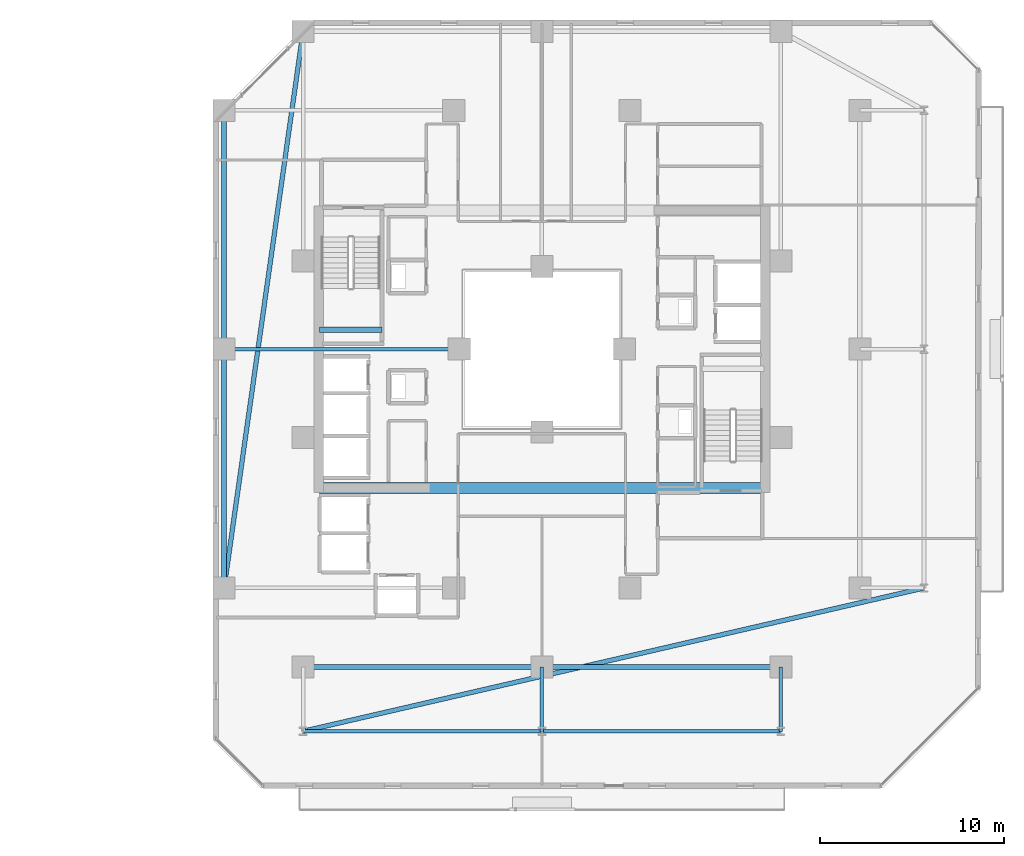
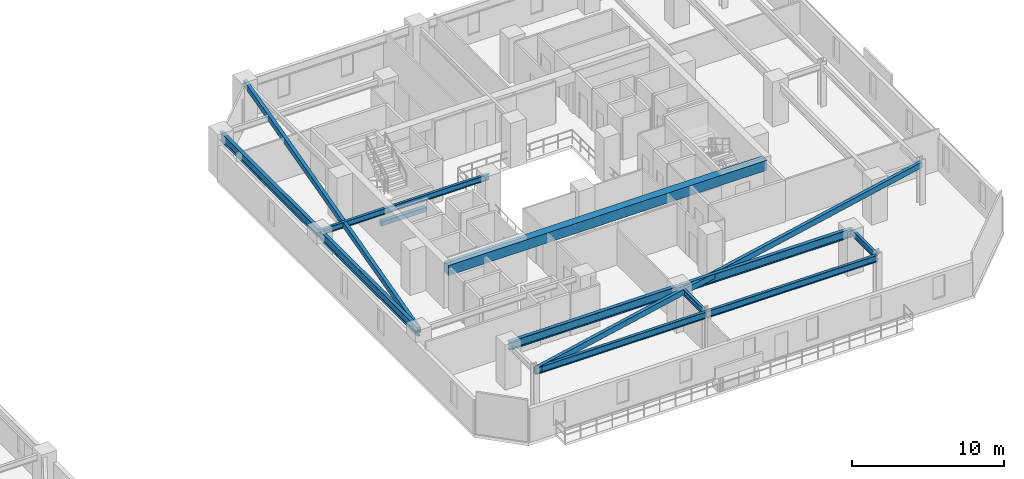
# One storey, part 11 of 33: 13 beams.
"""IFC4 building model written with IfcOpenShell, lengths in metres."""

import ifcopenshell
import ifcopenshell.guid

model = None  # the IFC model being written
_history = None  # IfcOwnerHistory: only IFC2X3 demands one
_inside = {}  # id of a spatial element -> (the spatial element, [elements in it])
_under = {}  # id of a project, library or spatial element -> (it, [spatial elements below it])
_declared = {}  # id of a project -> (the project, [libraries it declares])
_typed = {}  # id of a type object -> (the type object, [elements of that type])
_made_of = {}  # id of a material, layer set ... -> (it, [elements and type objects made of it])


def new_model(schema):
    """Start an empty IFC model of exactly this schema.

    Asked for "IFC4X3", IfcOpenShell would pick the latest addendum, in which some entities
    have other attributes; the version numbers below select the first issue.
    IFC2X3 requires an IfcOwnerHistory on every rooted entity: one is made here for all.
    """
    global model, _history
    if schema == "IFC4X3":
        model = ifcopenshell.file(schema_version=(4, 3, 0, 0))
    else:
        model = ifcopenshell.file(schema=schema)
    _inside.clear()
    _under.clear()
    _declared.clear()
    _typed.clear()
    _made_of.clear()
    _history = None
    if model.schema == "IFC2X3":
        org = make("IfcOrganization", Name="unknown")
        user = make(
            "IfcPersonAndOrganization",
            ThePerson=make("IfcPerson", FamilyName="unknown"),
            TheOrganization=org,
        )
        app = make(
            "IfcApplication",
            ApplicationDeveloper=org,
            Version="unknown",
            ApplicationFullName="unknown",
            ApplicationIdentifier="unknown",
        )
        _history = make(
            "IfcOwnerHistory",
            OwningUser=user,
            OwningApplication=app,
            ChangeAction="ADDED",
            CreationDate=0,
        )
    return model


def make(cls, **values):
    """One entity of the class cls with the attributes given. An attribute that is None is left unset."""
    return model.create_entity(
        cls, **{name: value for name, value in values.items() if value is not None}
    )


def rooted(cls, **values):
    """An entity with a GlobalId (a new one), such as an element, a storey or a relation."""
    return make(cls, GlobalId=ifcopenshell.guid.new(), OwnerHistory=_history, **values)


def si_unit(unit_type, name, prefix=None):
    """IfcSIUnit, for example si_unit("LENGTHUNIT", "METRE", prefix="MILLI")."""
    return make("IfcSIUnit", UnitType=unit_type, Prefix=prefix, Name=name)


def assignment(units):
    """IfcUnitAssignment: the units of a project."""
    return None if units is None else make("IfcUnitAssignment", Units=units)


def point(xyz):
    """IfcCartesianPoint."""
    return None if xyz is None else make("IfcCartesianPoint", Coordinates=xyz)


def direction(xyz):
    """IfcDirection."""
    return None if xyz is None else make("IfcDirection", DirectionRatios=xyz)


def frame(location, z_axis=None, x_axis=None):
    """IfcAxis2Placement3D, a coordinate frame: its origin and axes. An axis left out is left unset."""
    return make(
        "IfcAxis2Placement3D",
        Location=point(location),
        Axis=direction(z_axis),
        RefDirection=direction(x_axis),
    )


def frame_2d(location, x_axis=None):
    """IfcAxis2Placement2D, a coordinate frame in the plane: its origin and x axis."""
    return make(
        "IfcAxis2Placement2D", Location=point(location), RefDirection=direction(x_axis)
    )


def origin():
    """The frame at (0, 0, 0) with its axes left unset."""
    return frame((0.0, 0.0, 0.0))


def origin_2d():
    """The frame at (0, 0) in the plane with its x axis left unset."""
    return frame_2d((0.0, 0.0))


def place(relative_to, where):
    """IfcLocalPlacement: puts the frame where relative to a parent placement (None: the world)."""
    return make(
        "IfcLocalPlacement", PlacementRelTo=relative_to, RelativePlacement=where
    )


def context(
    kind, dimensions, precision=None, world=None, true_north=None, identifier=None
):
    """IfcGeometricRepresentationContext, for example the 3D "Model" context."""
    return make(
        "IfcGeometricRepresentationContext",
        ContextIdentifier=identifier,
        ContextType=kind,
        CoordinateSpaceDimension=dimensions,
        Precision=precision,
        WorldCoordinateSystem=world,
        TrueNorth=true_north,
    )


def subcontext(parent, identifier, kind, view, scale=None):
    """IfcGeometricRepresentationSubContext, for example "Body" below "Model"."""
    return make(
        "IfcGeometricRepresentationSubContext",
        ContextIdentifier=identifier,
        ContextType=kind,
        ParentContext=parent,
        TargetScale=scale,
        TargetView=view,
    )


def project(units=None, contexts=None):
    """IfcProject with its units and contexts."""
    return rooted(
        "IfcProject",
        Name="project",
        RepresentationContexts=contexts,
        UnitsInContext=assignment(units),
    )


def spatial(cls, under=None, at=None, **own):
    """A site, building, storey or space (cls), placed at a placement, below another one or the project."""
    s = rooted(cls, ObjectPlacement=at, **own)
    if under is not None:
        _under.setdefault(under.id(), (under, []))[1].append(s)
    return s


def profile(cls, at=None, kind="AREA", **sizes):
    """A parametric profile (cls). Its sizes go by their IFC names, for example OverallWidth=200.0."""
    return make(cls, ProfileType=kind, Position=at, **sizes)


def rectangle(**sizes):
    """IfcRectangleProfileDef."""
    return profile("IfcRectangleProfileDef", **sizes)


def hollow_rectangle(**sizes):
    """IfcRectangleHollowProfileDef."""
    return profile("IfcRectangleHollowProfileDef", **sizes)


def i_section(**sizes):
    """IfcIShapeProfileDef."""
    return profile("IfcIShapeProfileDef", **sizes)


def extrude(swept, where, along, depth):
    """IfcExtrudedAreaSolid: the profile swept, set in the frame where, extruded along a direction by depth."""
    return make(
        "IfcExtrudedAreaSolid",
        SweptArea=swept,
        Position=where,
        ExtrudedDirection=direction(along),
        Depth=depth,
    )


def shape(context_of_items, identifier, shape_type, items):
    """IfcShapeRepresentation: the items that make up one representation, for example the "Body"."""
    return make(
        "IfcShapeRepresentation",
        ContextOfItems=context_of_items,
        RepresentationIdentifier=identifier,
        RepresentationType=shape_type,
        Items=items,
    )


def material(Name=None, Category=None):
    """IfcMaterial."""
    return make("IfcMaterial", Name=Name, Category=Category)


def material_profile(
    of_material, cross_section, Name=None, Category=None, Priority=None
):
    """IfcMaterialProfile: a cross section and its material."""
    return make(
        "IfcMaterialProfile",
        Name=Name,
        Material=of_material,
        Profile=cross_section,
        Priority=Priority,
        Category=Category,
    )


def profile_set(profiles, Name=None, composite=None):
    """IfcMaterialProfileSet."""
    return make(
        "IfcMaterialProfileSet",
        Name=Name,
        MaterialProfiles=profiles,
        CompositeProfile=composite,
    )


def made_of(thing, what):
    """Note that an element or type object is made of a material, layer set ...; save() writes the relation."""
    if what is not None:
        _made_of.setdefault(what.id(), (what, []))[1].append(thing)
    return thing


def type_object(cls, material=None, **own):
    """A type object (cls), such as IfcWallType, which elements share."""
    return made_of(rooted(cls, **own), material)


def element(
    cls,
    number,
    at=None,
    inside=None,
    cuts=None,
    type_object=None,
    material=None,
    context=None,
    identifier="Body",
    shape_type=None,
    held_by="IfcProductDefinitionShape",
    body=None,
    shapes=None,
    **own,
):
    """One element of the class cls, such as IfcWall. Its Tag is "e" and its number.

    at: its placement. inside: the storey or other place that contains it. cuts: it is an
    opening in that element (IfcRelVoidsElement). A single representation is given by context,
    identifier, shape_type and body (its items); several are given by shapes. held_by: the class
    of the entity that holds the representations. save() writes the other relations.
    """
    e = rooted(cls, Tag="e%d" % number, ObjectPlacement=at, **own)
    if body is not None:
        shapes = [shape(context, identifier, shape_type, body)]
    if shapes is not None:
        e.Representation = make(held_by, Representations=shapes)
    if inside is not None:
        _inside.setdefault(inside.id(), (inside, []))[1].append(e)
    if cuts is not None:
        rooted(
            "IfcRelVoidsElement", RelatingBuildingElement=cuts, RelatedOpeningElement=e
        )
    if type_object is not None:
        _typed.setdefault(type_object.id(), (type_object, []))[1].append(e)
    return made_of(e, material)


def aggregate(whole, parts):
    """IfcRelAggregates: a whole, such as a stair, and the parts it consists of."""
    return rooted("IfcRelAggregates", RelatingObject=whole, RelatedObjects=parts)


def save(model, path):
    """Write the relations noted so far, then the file.

    IfcRelAggregates (storeys below a building ...), IfcRelContainedInSpatialStructure (elements
    in a storey), IfcRelDefinesByType, IfcRelAssociatesMaterial and IfcRelDeclares: one each for
    every whole, place, type object, material and project.
    """
    for whole, parts in _under.values():
        aggregate(whole, parts)
    for where, things in _inside.values():
        rooted(
            "IfcRelContainedInSpatialStructure",
            RelatedElements=things,
            RelatingStructure=where,
        )
    for kind, things in _typed.values():
        rooted("IfcRelDefinesByType", RelatedObjects=things, RelatingType=kind)
    for what, things in _made_of.values():
        rooted("IfcRelAssociatesMaterial", RelatedObjects=things, RelatingMaterial=what)
    for by, libraries in _declared.values():
        rooted("IfcRelDeclares", RelatingContext=by, RelatedDefinitions=libraries)
    model.write(path)


model = new_model("IFC4")

# Units and contexts
model_context = context("Model", 3, precision=1e-05, world=origin(), true_north=direction((0.0, 1.0)))
body_context = subcontext(model_context, "Body", "Model", "MODEL_VIEW")
ifc_project = project(units=[si_unit("LENGTHUNIT", "METRE"), si_unit("AREAUNIT", "SQUARE_METRE"), si_unit("VOLUMEUNIT", "CUBIC_METRE"), si_unit("PLANEANGLEUNIT", "RADIAN"), si_unit("MASSUNIT", "GRAM", prefix="KILO")], contexts=[model_context])

# Site, building, storey
site_placement = place(None, origin())
site = spatial("IfcSite", under=ifc_project, at=site_placement, CompositionType="ELEMENT")
building_placement = place(site_placement, origin())
building = spatial("IfcBuilding", under=site, at=building_placement, Name="Thornwick Lancets Civic Towers", CompositionType="ELEMENT")
storey_placement = place(building_placement, frame((0.0, 0.0, 130.5)))
storey = spatial("IfcBuildingStorey", under=building, at=storey_placement, Name="L34", CompositionType="ELEMENT", Elevation=130.5)

# Beams
ifc_material_1 = material(Name="Concrete C60/75", Category="concrete")
ifc_material_profile_1 = material_profile(ifc_material_1, rectangle(XDim=0.60009765625, YDim=0.800048828125, at=origin_2d()), Name="RC 600x800")
ifc_profile_set_1 = profile_set([ifc_material_profile_1], Name="Concrete C60/75")
beam_type_1 = type_object("IfcBeamType", Name="BM_COUP_RC800", PredefinedType="BEAM", material=ifc_profile_set_1)
beam_1_placement = place(storey_placement, frame((76.39990234375, 19.449951171875, 2.9599609375), z_axis=(1.0, 0.0, 0.0), x_axis=(0.0, 1.0, 0.0)))
element("IfcBeam", 1, at=beam_1_placement, inside=storey, type_object=beam_type_1, Name="CB-L34-B2", PredefinedType="BEAM", context=body_context, shape_type="SweptSolid", body=[
    extrude(rectangle(XDim=0.60009765625, YDim=0.800048828125, at=origin_2d()), origin(), (0.0, 0.0, 1.0), 24.2001953125),
])
ifc_material_2 = material(Name="Steel S355JR", Category="steel")
ifc_material_profile_2 = material_profile(ifc_material_2, i_section(OverallWidth=0.2119140625, OverallDepth=0.54443359375, WebThickness=0.0126953125, FlangeThickness=0.021240234375, FilletRadius=0.0126953125, at=origin_2d()), Name="UKB 533x210x122")
ifc_profile_set_2 = profile_set([ifc_material_profile_2], Name="Steel S355JR")
beam_type_2 = type_object("IfcBeamType", Name="BM_EDGE_533_122", PredefinedType="SPANDREL", material=ifc_profile_set_2)
beam_2_placement = place(storey_placement, frame((101.5, 6.199951171875, 3.087646484375), z_axis=(-1.0, 0.0, 0.0), x_axis=(0.0, -1.0, 0.0)))
element("IfcBeam", 2, at=beam_2_placement, inside=storey, type_object=beam_type_2, Name="BM-EDGE-L34-B-S3-1", PredefinedType="SPANDREL", context=body_context, shape_type="SweptSolid", body=[
    extrude(i_section(OverallWidth=0.2119140625, OverallDepth=0.54443359375, WebThickness=0.0126953125, FlangeThickness=0.021240234375, FilletRadius=0.0126953125, at=origin_2d()), origin(), (0.0, 0.0, 1.0), 13.0),
])
beam_3_placement = place(storey_placement, frame((88.419921875, 6.199951171875, 3.087646484375), z_axis=(-1.0, 0.0, 0.0), x_axis=(0.0, -1.0, 0.0)))
element("IfcBeam", 3, at=beam_3_placement, inside=storey, type_object=beam_type_2, Name="BM-EDGE-L34-B-S3-2", PredefinedType="SPANDREL", context=body_context, shape_type="SweptSolid", body=[
    extrude(i_section(OverallWidth=0.2119140625, OverallDepth=0.54443359375, WebThickness=0.0126953125, FlangeThickness=0.021240234375, FilletRadius=0.0126953125, at=origin_2d()), origin(), (0.0, 0.0, 1.0), 12.919921875),
])
ifc_material_profile_3 = material_profile(ifc_material_2, i_section(OverallWidth=0.255859375, OverallDepth=0.69287109375, WebThickness=0.014404296875, FlangeThickness=0.023681640625, FilletRadius=0.01513671875, at=origin_2d()), Name="UKB 686x254x170")
ifc_profile_set_3 = profile_set([ifc_material_profile_3], Name="Steel S355JR")
beam_type_3 = type_object("IfcBeamType", Name="BM_GIRD_686_170", PredefinedType="BEAM", material=ifc_profile_set_3)
beam_4_placement = place(storey_placement, frame((71.199951171875, 14.0, 3.013671875), z_axis=(0.0, 1.0, 0.0), x_axis=(-1.0, 0.0, 0.0)))
element("IfcBeam", 4, at=beam_4_placement, inside=storey, type_object=beam_type_3, Name="BM-SPINE-L34-B-6-7", PredefinedType="BEAM", context=body_context, shape_type="SweptSolid", body=[
    extrude(i_section(OverallWidth=0.255859375, OverallDepth=0.69287109375, WebThickness=0.014404296875, FlangeThickness=0.023681640625, FilletRadius=0.01513671875, at=origin_2d()), origin(), (0.0, 0.0, 1.0), 13.0),
])
beam_5_placement = place(storey_placement, frame((71.199951171875, 27.080078125, 3.013671875), z_axis=(0.0, 1.0, 0.0), x_axis=(-1.0, 0.0, 0.0)))
element("IfcBeam", 5, at=beam_5_placement, inside=storey, type_object=beam_type_3, Name="BM-SPINE-L34-B-7-8", PredefinedType="BEAM", context=body_context, shape_type="SweptSolid", body=[
    extrude(i_section(OverallWidth=0.255859375, OverallDepth=0.69287109375, WebThickness=0.014404296875, FlangeThickness=0.023681640625, FilletRadius=0.01513671875, at=origin_2d()), origin(), (0.0, 0.0, 1.0), 12.919921875),
])
beam_6_placement = place(storey_placement, frame((101.5, 9.699951171875, 3.013671875), z_axis=(-1.0, 0.0, 0.0), x_axis=(0.0, -1.0, 0.0)))
element("IfcBeam", 6, at=beam_6_placement, inside=storey, type_object=beam_type_3, Name="BM-SPINE-L34-B-9-10", PredefinedType="BEAM", context=body_context, shape_type="SweptSolid", body=[
    extrude(i_section(OverallWidth=0.255859375, OverallDepth=0.69287109375, WebThickness=0.014404296875, FlangeThickness=0.023681640625, FilletRadius=0.01513671875, at=origin_2d()), origin(), (0.0, 0.0, 1.0), 13.0),
])
beam_7_placement = place(storey_placement, frame((88.419921875, 9.699951171875, 3.013671875), z_axis=(-1.0, 0.0, 0.0), x_axis=(0.0, -1.0, 0.0)))
element("IfcBeam", 7, at=beam_7_placement, inside=storey, type_object=beam_type_3, Name="BM-SPINE-L34-B-10-11", PredefinedType="BEAM", context=body_context, shape_type="SweptSolid", body=[
    extrude(i_section(OverallWidth=0.255859375, OverallDepth=0.69287109375, WebThickness=0.014404296875, FlangeThickness=0.023681640625, FilletRadius=0.01513671875, at=origin_2d()), origin(), (0.0, 0.0, 1.0), 12.919921875),
])
ifc_material_profile_4 = material_profile(ifc_material_2, i_section(OverallWidth=0.19287109375, OverallDepth=0.46728515625, WebThickness=0.011474609375, FlangeThickness=0.01953125, FilletRadius=0.01025390625, at=origin_2d()), Name="UKB 457x191x98")
ifc_profile_set_4 = profile_set([ifc_material_profile_4], Name="Steel S355JR")
beam_type_4 = type_object("IfcBeamType", Name="BM_JOIST_457_98", PredefinedType="JOIST", material=ifc_profile_set_4)
beam_8_placement = place(storey_placement, frame((84.0, 27.0, 3.12646484375), z_axis=(-1.0, 0.0, 0.0), x_axis=(0.0, -1.0, 0.0)))
element("IfcBeam", 8, at=beam_8_placement, inside=storey, type_object=beam_type_4, Name="BM-RADIN-L34-B08", PredefinedType="JOIST", context=body_context, shape_type="SweptSolid", body=[
    extrude(i_section(OverallWidth=0.19287109375, OverallDepth=0.46728515625, WebThickness=0.011474609375, FlangeThickness=0.01953125, FilletRadius=0.01025390625, at=origin_2d()), origin(), (0.0, 0.0, 1.0), 12.800048828125),
])
for number, where, z_axis, x_axis, name in (
    (9, (101.5, 9.699951171875, 3.12646484375), (0.0, -1.0, 0.0), (1.0, 0.0, 0.0), "BM-RAD-L34-B10"),
    (10, (88.5, 9.699951171875, 3.12646484375), (0.0, -1.0, 0.0), (1.0, 0.0, 0.0), "BM-RAD-L34-B11"),
):
    element("IfcBeam", number, at=place(storey_placement, frame(where, z_axis=z_axis, x_axis=x_axis)), inside=storey, type_object=beam_type_4, Name=name, PredefinedType="JOIST", context=body_context, shape_type="SweptSolid", body=[
        extrude(i_section(OverallWidth=0.19287109375, OverallDepth=0.46728515625, WebThickness=0.011474609375, FlangeThickness=0.01953125, FilletRadius=0.01025390625, at=origin_2d()), origin(), (0.0, 0.0, 1.0), 3.5),
    ])
ifc_material_profile_5 = material_profile(ifc_material_2, hollow_rectangle(XDim=0.25, YDim=0.449951171875, WallThickness=0.01611328125, at=origin_2d()), Name="RHS 450x250x16")
ifc_profile_set_5 = profile_set([ifc_material_profile_5], Name="Steel S355JR")
beam_type_5 = type_object("IfcBeamType", Name="BM_RING_RHS450", PredefinedType="BEAM", material=ifc_profile_set_5)
beam_9_placement = place(storey_placement, frame((75.5, 44.300048828125, 3.135009765625), z_axis=(-0.140507712682, -0.990079584012, 0.0), x_axis=(0.990079584012, -0.140507712682, 0.0)))
element("IfcBeam", 11, at=beam_9_placement, inside=storey, type_object=beam_type_5, Name="BM-CHAMF-L34-B-C1", PredefinedType="BEAM", context=body_context, shape_type="SweptSolid", body=[
    extrude(hollow_rectangle(XDim=0.25, YDim=0.449951171875, WallThickness=0.01611328125, at=origin_2d()), origin(), (0.0, 0.0, 1.0), 30.603759765625),
])
beam_10_placement = place(storey_placement, frame((75.5, 6.199951171875, 3.135009765625), z_axis=(0.974390958454, 0.224860534737, 0.0), x_axis=(-0.224860534737, 0.974390958454, 0.0)))
element("IfcBeam", 12, at=beam_10_placement, inside=storey, type_object=beam_type_5, Name="BM-CHAMF-L34-B-C3", PredefinedType="BEAM", context=body_context, shape_type="SweptSolid", body=[
    extrude(hollow_rectangle(XDim=0.25, YDim=0.449951171875, WallThickness=0.01611328125, at=origin_2d()), origin(), (0.0, 0.0, 1.0), 34.6884765625),
])
ifc_material_3 = material(Name="Concrete C40/50", Category="concrete")
ifc_material_profile_6 = material_profile(ifc_material_3, rectangle(XDim=0.300048828125, YDim=0.35009765625, at=origin_2d()), Name="RC 300x350")
ifc_profile_set_6 = profile_set([ifc_material_profile_6], Name="Concrete C40/50")
beam_type_6 = type_object("IfcBeamType", Name="BM_STAIR_LDG", PredefinedType="BEAM", material=ifc_profile_set_6)
beam_11_placement = place(storey_placement, frame((76.39990234375, 28.06494140625, 1.3779296875), z_axis=(1.0, 0.0, 0.0), x_axis=(0.0, 1.0, 0.0)))
element("IfcBeam", 13, at=beam_11_placement, inside=storey, type_object=beam_type_6, Name="L34 ST-B2 Landing Support Beam 1", PredefinedType="BEAM", context=body_context, shape_type="SweptSolid", body=[
    extrude(rectangle(XDim=0.300048828125, YDim=0.35009765625, at=origin_2d()), origin(), (0.0, 0.0, 1.0), 3.400146484375),
])

save(model, "model.ifc")
